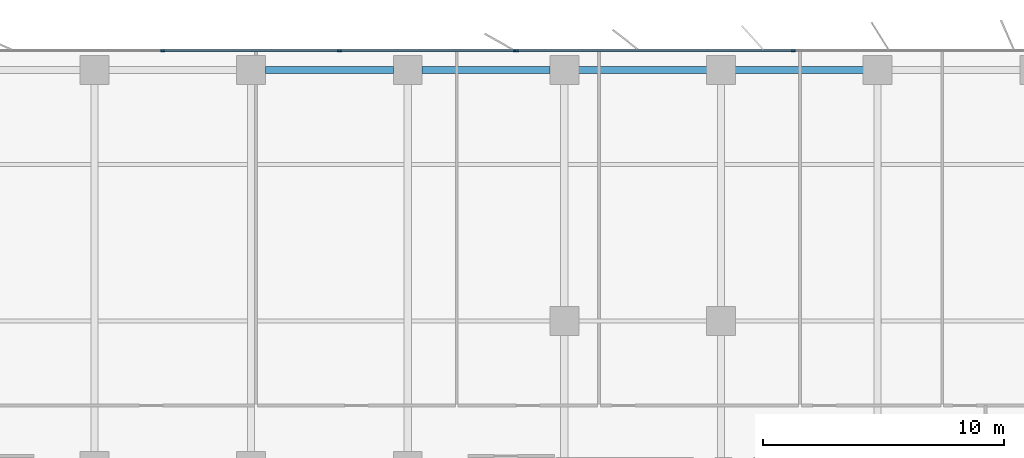
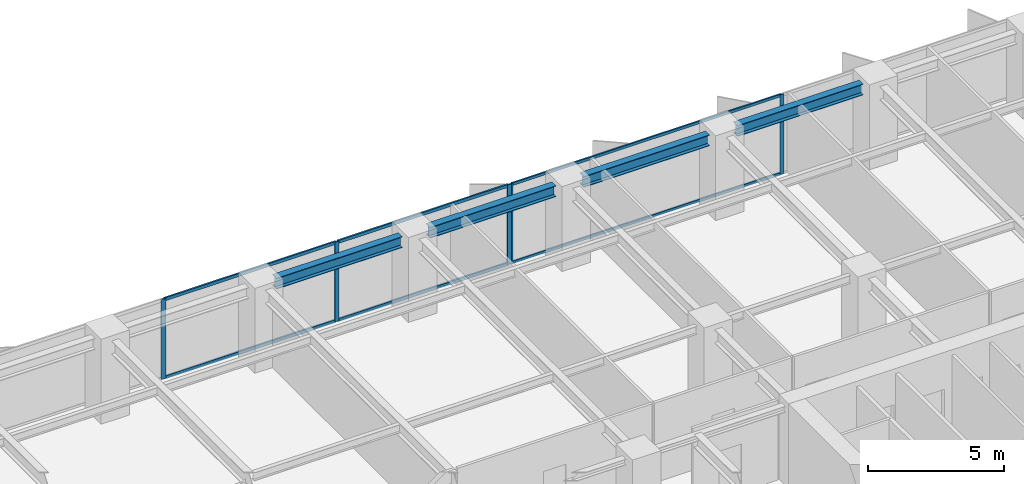
# One storey, part 9 of 20: 11 members, 4 beams, 2 elements without a shape of their own.
"""IFC4 building model written with IfcOpenShell, lengths in metres."""

from ifc_helpers import new_model, si_unit, direction, frame, origin, origin_2d, place, context, subcontext, project, spatial, rectangle, i_section, extrude, material, layer, layer_set, material_profile, profile_set, type_object, element, aggregate, save


model = new_model("IFC4")

# Units and contexts
model_context = context("Model", 3, precision=1e-05, world=origin(), true_north=direction((0.0, 1.0)))
body_context = subcontext(model_context, "Body", "Model", "MODEL_VIEW")
ifc_project = project(units=[si_unit("LENGTHUNIT", "METRE"), si_unit("AREAUNIT", "SQUARE_METRE"), si_unit("VOLUMEUNIT", "CUBIC_METRE"), si_unit("PLANEANGLEUNIT", "RADIAN"), si_unit("MASSUNIT", "GRAM", prefix="KILO")], contexts=[model_context])

# Site, building, storey
site_placement = place(None, origin())
site = spatial("IfcSite", under=ifc_project, at=site_placement, CompositionType="ELEMENT")
building_placement = place(site_placement, origin())
building = spatial("IfcBuilding", under=site, at=building_placement, Name="Putna Gate Headquarters", CompositionType="ELEMENT")
storey_placement = place(building_placement, frame((0.0, 0.0, 112.60009765625)))
storey = spatial("IfcBuildingStorey", under=building, at=storey_placement, Name="L27", CompositionType="ELEMENT", Elevation=112.60009765625)

# Beams
ifc_material_1 = material(Name="Steel S355J2", Category="steel")
ifc_material_profile_1 = material_profile(ifc_material_1, i_section(OverallWidth=0.300048828125, OverallDepth=0.489990234375, WebThickness=0.011962890625, FlangeThickness=0.02294921875, at=origin_2d()), Name="Steel S355J2")
ifc_profile_set_1 = profile_set([ifc_material_profile_1], Name="Steel S355J2")
beam_type = type_object("IfcBeamType", Name="BM-SPAN-Z2-HEA500", PredefinedType="SPANDREL", material=ifc_profile_set_1)
for number, where, z_axis, x_axis, name in (
    (1, (39.587890625, 49.419921875, 3.31982421875), (1.0, 0.0, 0.0), (0.0, 1.0, 0.0), "L27 N Perimeter Spandrel 6"),
    (2, (46.087890625, 49.419921875, 3.31982421875), (1.0, 0.0, 0.0), (0.0, 1.0, 0.0), "L27 N Perimeter Spandrel 7"),
    (3, (52.587890625, 49.419921875, 3.31982421875), (1.0, 0.0, 0.0), (0.0, 1.0, 0.0), "L27 N Perimeter Spandrel 8"),
    (4, (59.087890625, 49.419921875, 3.31982421875), (1.0, 0.0, 0.0), (0.0, 1.0, 0.0), "L27 N Perimeter Spandrel 9"),
):
    element("IfcBeam", number, at=place(storey_placement, frame(where, z_axis=z_axis, x_axis=x_axis)), inside=storey, type_object=beam_type, Name=name, PredefinedType="SPANDREL", context=body_context, shape_type="SweptSolid", body=[
        extrude(i_section(OverallWidth=0.300048828125, OverallDepth=0.489990234375, WebThickness=0.011962890625, FlangeThickness=0.02294921875, at=origin_2d()), origin(), (0.0, 0.0, 1.0), 5.32421875),
    ])

# Curtain wall, members
ifc_material_2 = material(Name="Anodised bronze aluminium curtain wall", Category="aluminium")
ifc_layer_1 = layer(ifc_material_2, 0.159912109375)
ifc_layer_set_1 = layer_set([ifc_layer_1], Name="Anodised bronze aluminium curtain wall")
curtain_wall_type_1 = type_object("IfcCurtainWallType", Name="CW-SYS-Z2", PredefinedType="USERDEFINED", material=ifc_layer_set_1)
curtain_wall_1_placement = place(storey_placement, origin())
curtain_wall_1 = element("IfcCurtainWall", 5, at=curtain_wall_1_placement, inside=storey, type_object=curtain_wall_type_1, Name="L27 North East Curtain Wall", ObjectType="STICK CURTAIN WALL", PredefinedType="USERDEFINED")
ifc_material_3 = material(Name="Anodised bronze aluminium EN AW-6060", Category="aluminium")
ifc_material_profile_2 = material_profile(ifc_material_3, rectangle(XDim=0.06494140625, YDim=0.159912109375, at=origin_2d()), Name="Anodised bronze aluminium EN AW-6060")
ifc_profile_set_2 = profile_set([ifc_material_profile_2], Name="Anodised bronze aluminium EN AW-6060")
member_type_1 = type_object("IfcMemberType", Name="MULL-CWM-2", PredefinedType="MULLION", material=ifc_profile_set_2)
member_1_placement = place(storey_placement, frame((50.032470703125, 50.219970703125, 0.0), z_axis=(0.0, 0.0, 1.0), x_axis=(0.0, 1.0, 0.0)))
member_1 = element("IfcMember", 6, at=member_1_placement, type_object=member_type_1, Name="CWS-2 mullion 1", PredefinedType="MULLION", context=body_context, shape_type="SweptSolid", body=[
    extrude(rectangle(XDim=0.06494140625, YDim=0.159912109375, at=origin_2d()), origin(), (0.0, 0.0, 1.0), 3.56494140625),
])
member_2_placement = place(storey_placement, frame((61.5, 50.219970703125, 0.0), z_axis=(0.0, 0.0, 1.0), x_axis=(0.0, 1.0, 0.0)))
member_2 = element("IfcMember", 7, at=member_2_placement, type_object=member_type_1, Name="CWS-2 mullion 2", PredefinedType="MULLION", context=body_context, shape_type="SweptSolid", body=[
    extrude(rectangle(XDim=0.06494140625, YDim=0.159912109375, at=origin_2d()), origin(), (0.0, 0.0, 1.0), 3.56494140625),
])

ifc_layer_2 = layer(ifc_material_2, 0.179931640625)
ifc_layer_set_2 = layer_set([ifc_layer_2], Name="Anodised bronze aluminium curtain wall")
curtain_wall_type_2 = type_object("IfcCurtainWallType", Name="CW-SYS-ATR", PredefinedType="USERDEFINED", material=ifc_layer_set_2)
curtain_wall_2_placement = place(storey_placement, origin())
curtain_wall_2 = element("IfcCurtainWall", 8, at=curtain_wall_2_placement, inside=storey, type_object=curtain_wall_type_2, Name="L27 North Atrium Clear Glazing", ObjectType="ATRIUM GLAZING", PredefinedType="USERDEFINED")
ifc_material_profile_3 = material_profile(ifc_material_3, rectangle(XDim=0.070068359375, YDim=0.179931640625, at=origin_2d()), Name="Anodised bronze aluminium EN AW-6060")
ifc_profile_set_3 = profile_set([ifc_material_profile_3], Name="Anodised bronze aluminium EN AW-6060")
member_type_2 = type_object("IfcMemberType", Name="MULL-CWM-AT", PredefinedType="MULLION", material=ifc_profile_set_3)
member_3_placement = place(storey_placement, frame((35.333251953125, 50.219970703125, 0.0), z_axis=(0.0, 0.0, 1.0), x_axis=(0.0, 1.0, 0.0)))
member_3 = element("IfcMember", 9, at=member_3_placement, type_object=member_type_2, Name="CWS-AT mullion 2", PredefinedType="MULLION", context=body_context, shape_type="SweptSolid", body=[
    extrude(rectangle(XDim=0.070068359375, YDim=0.179931640625, at=origin_2d()), origin(), (0.0, 0.0, 1.0), 3.56494140625),
])
member_4_placement = place(storey_placement, frame((42.666748046875, 50.219970703125, 0.0), z_axis=(0.0, 0.0, 1.0), x_axis=(0.0, 1.0, 0.0)))
member_4 = element("IfcMember", 10, at=member_4_placement, type_object=member_type_2, Name="CWS-AT mullion 3", PredefinedType="MULLION", context=body_context, shape_type="SweptSolid", body=[
    extrude(rectangle(XDim=0.070068359375, YDim=0.179931640625, at=origin_2d()), origin(), (0.0, 0.0, 1.0), 3.56494140625),
])
member_5_placement = place(storey_placement, frame((49.965087890625, 50.219970703125, 0.0), z_axis=(0.0, 0.0, 1.0), x_axis=(0.0, 1.0, 0.0)))
member_5 = element("IfcMember", 11, at=member_5_placement, type_object=member_type_2, Name="CWS-AT mullion 4", PredefinedType="MULLION", context=body_context, shape_type="SweptSolid", body=[
    extrude(rectangle(XDim=0.070068359375, YDim=0.179931640625, at=origin_2d()), origin(), (0.0, 0.0, 1.0), 3.56494140625),
])

# Member
ifc_material_profile_4 = material_profile(ifc_material_3, rectangle(XDim=0.06494140625, YDim=0.1201171875, at=origin_2d()), Name="Anodised bronze aluminium EN AW-6060")
ifc_profile_set_4 = profile_set([ifc_material_profile_4], Name="Anodised bronze aluminium EN AW-6060")
member_type_3 = type_object("IfcMemberType", Name="TRAN-CWT-2", PredefinedType="USERDEFINED", material=ifc_profile_set_4)
member_6_placement = place(storey_placement, frame((50.06494140625, 50.219970703125, 0.032470703125), z_axis=(1.0, 0.0, 0.0), x_axis=(0.0, 1.0, 0.0)))
member_6 = element("IfcMember", 12, at=member_6_placement, type_object=member_type_3, Name="CWS-2 transom 1.1", ObjectType="TRANSOM", PredefinedType="USERDEFINED", context=body_context, shape_type="SweptSolid", body=[
    extrude(rectangle(XDim=0.06494140625, YDim=0.1201171875, at=origin_2d()), origin(), (0.0, 0.0, 1.0), 11.402587890625),
])

member_7_placement = place(storey_placement, frame((50.06494140625, 50.219970703125, 3.532470703125), z_axis=(1.0, 0.0, 0.0), x_axis=(0.0, 1.0, 0.0)))
member_7 = element("IfcMember", 13, at=member_7_placement, type_object=member_type_3, Name="CWS-2 transom 1.2", ObjectType="TRANSOM", PredefinedType="USERDEFINED", context=body_context, shape_type="SweptSolid", body=[
    extrude(rectangle(XDim=0.06494140625, YDim=0.1201171875, at=origin_2d()), origin(), (0.0, 0.0, 1.0), 11.402587890625),
])

aggregate(curtain_wall_1, [member_1, member_2, member_6, member_7])

ifc_material_profile_5 = material_profile(ifc_material_3, rectangle(XDim=0.070068359375, YDim=0.139892578125, at=origin_2d()), Name="Anodised bronze aluminium EN AW-6060")
ifc_profile_set_5 = profile_set([ifc_material_profile_5], Name="Anodised bronze aluminium EN AW-6060")
member_type_4 = type_object("IfcMemberType", Name="TRAN-CWT-AT", PredefinedType="USERDEFINED", material=ifc_profile_set_5)
member_8_placement = place(storey_placement, frame((35.368408203125, 50.219970703125, 0.034912109375), z_axis=(1.0, 0.0, 0.0), x_axis=(0.0, 1.0, 0.0)))
member_8 = element("IfcMember", 14, at=member_8_placement, type_object=member_type_4, Name="CWS-AT transom 2.1", ObjectType="TRANSOM", PredefinedType="USERDEFINED", context=body_context, shape_type="SweptSolid", body=[
    extrude(rectangle(XDim=0.070068359375, YDim=0.139892578125, at=origin_2d()), origin(), (0.0, 0.0, 1.0), 7.26318359375),
])

member_9_placement = place(storey_placement, frame((35.368408203125, 50.219970703125, 3.52978515625), z_axis=(1.0, 0.0, 0.0), x_axis=(0.0, 1.0, 0.0)))
member_9 = element("IfcMember", 15, at=member_9_placement, type_object=member_type_4, Name="CWS-AT transom 2.2", ObjectType="TRANSOM", PredefinedType="USERDEFINED", context=body_context, shape_type="SweptSolid", body=[
    extrude(rectangle(XDim=0.070068359375, YDim=0.139892578125, at=origin_2d()), origin(), (0.0, 0.0, 1.0), 7.26318359375),
])

member_10_placement = place(storey_placement, frame((42.70166015625, 50.219970703125, 0.034912109375), z_axis=(1.0, 0.0, 0.0), x_axis=(0.0, 1.0, 0.0)))
member_10 = element("IfcMember", 16, at=member_10_placement, type_object=member_type_4, Name="CWS-AT transom 3.1", ObjectType="TRANSOM", PredefinedType="USERDEFINED", context=body_context, shape_type="SweptSolid", body=[
    extrude(rectangle(XDim=0.070068359375, YDim=0.139892578125, at=origin_2d()), origin(), (0.0, 0.0, 1.0), 7.228271484375),
])

member_11_placement = place(storey_placement, frame((42.70166015625, 50.219970703125, 3.52978515625), z_axis=(1.0, 0.0, 0.0), x_axis=(0.0, 1.0, 0.0)))
member_11 = element("IfcMember", 17, at=member_11_placement, type_object=member_type_4, Name="CWS-AT transom 3.2", ObjectType="TRANSOM", PredefinedType="USERDEFINED", context=body_context, shape_type="SweptSolid", body=[
    extrude(rectangle(XDim=0.070068359375, YDim=0.139892578125, at=origin_2d()), origin(), (0.0, 0.0, 1.0), 7.228271484375),
])

aggregate(curtain_wall_2, [member_3, member_4, member_5, member_8, member_9, member_10, member_11])

save(model, "model.ifc")
